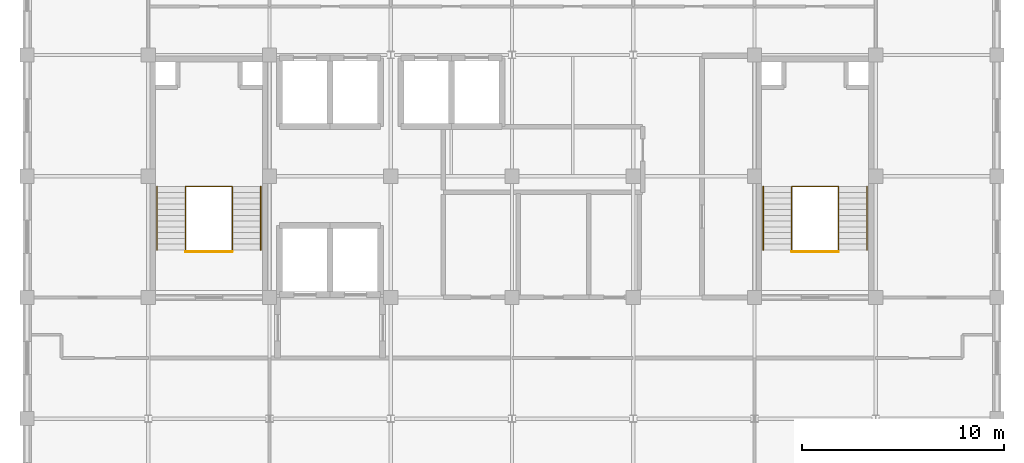
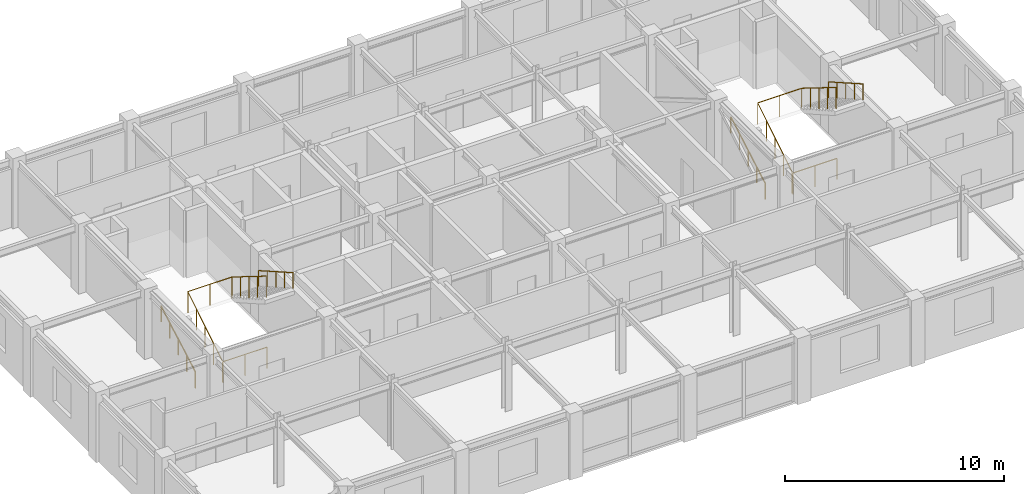
# One storey, part 13 of 13: 8 railings.
"""IFC4 building model written with IfcOpenShell, lengths in metres."""

from ifc_helpers import new_model, si_unit, direction, frame, origin, origin_2d, place, context, subcontext, project, spatial, circle, extrude, material, type_object, element, save


model = new_model("IFC4")

# Units and contexts
model_context = context("Model", 3, precision=1e-05, world=origin(), true_north=direction((0.0, 1.0)))
body_context = subcontext(model_context, "Body", "Model", "MODEL_VIEW")
ifc_project = project(units=[si_unit("LENGTHUNIT", "METRE"), si_unit("AREAUNIT", "SQUARE_METRE"), si_unit("VOLUMEUNIT", "CUBIC_METRE"), si_unit("PLANEANGLEUNIT", "RADIAN"), si_unit("MASSUNIT", "GRAM", prefix="KILO")], contexts=[model_context])

# Site, building, storey
site_placement = place(None, origin())
site = spatial("IfcSite", under=ifc_project, at=site_placement, CompositionType="ELEMENT")
building_placement = place(site_placement, origin())
building = spatial("IfcBuilding", under=site, at=building_placement, Name="Zlatovratsky Civic Hall", CompositionType="ELEMENT")
storey_placement = place(building_placement, frame((0.0, 0.0, 48.300048828125)))
storey = spatial("IfcBuildingStorey", under=building, at=storey_placement, Name="L12", CompositionType="ELEMENT", Elevation=48.300048828125)

# Railings
ifc_material = material(Name="Brushed stainless steel AISI 304", Category="steel")
railing_type_1 = type_object("IfcRailingType", Name="Railing_Guardrail_1200", PredefinedType="GUARDRAIL", material=ifc_material)
railing_1_placement = place(storey_placement, frame((67.840087890625, 86.35009765625, 0.0)))
element("IfcRailing", 1, at=railing_1_placement, inside=storey, type_object=railing_type_1, Name="RL-0548", PredefinedType="GUARDRAIL", context=body_context, shape_type="SweptSolid", body=[
    extrude(circle(Radius=0.02392578125, at=origin_2d()), frame((0.0, 0.0, 1.17578125), z_axis=(0.0, 0.849144259976, 0.528160984692), x_axis=(-1.0, 0.0, 0.0)), (0.0, 0.0, 1.0), 3.69189453125),
    extrude(circle(Radius=0.02392578125, at=origin_2d()), frame((0.0, 3.135009765625, 3.1259765625), z_axis=(1.0, 0.0, 0.0), x_axis=(0.0, 1.0, 0.0)), (0.0, 0.0, 1.0), 2.31982421875),
    extrude(circle(Radius=0.02392578125, at=origin_2d()), frame((2.31982421875, 3.135009765625, 3.1259765625), z_axis=(0.0, -0.849144259976, 0.528160984692), x_axis=(1.0, 0.0, 0.0)), (0.0, 0.0, 1.0), 3.69189453125),
    extrude(circle(Radius=0.02099609375, at=origin_2d()), origin(), (0.0, 0.0, 1.0), 1.15185546875),
    extrude(circle(Radius=0.02099609375, at=origin_2d()), frame((0.0, 0.78369140625, 0.487548828125)), (0.0, 0.0, 1.0), 1.15185546875),
    extrude(circle(Radius=0.02099609375, at=origin_2d()), frame((0.0, 1.5673828125, 0.97509765625)), (0.0, 0.0, 1.0), 1.15185546875),
    extrude(circle(Radius=0.02099609375, at=origin_2d()), frame((0.0, 2.351318359375, 1.46240234375)), (0.0, 0.0, 1.0), 1.15185546875),
    extrude(circle(Radius=0.02099609375, at=origin_2d()), frame((0.0, 3.135009765625, 1.949951171875)), (0.0, 0.0, 1.0), 1.15185546875),
    extrude(circle(Radius=0.02099609375, at=origin_2d()), frame((1.159912109375, 3.135009765625, 1.949951171875)), (0.0, 0.0, 1.0), 1.15185546875),
    extrude(circle(Radius=0.02099609375, at=origin_2d()), frame((2.31982421875, 3.135009765625, 1.949951171875)), (0.0, 0.0, 1.0), 1.15185546875),
    extrude(circle(Radius=0.02099609375, at=origin_2d()), frame((2.31982421875, 2.351318359375, 2.4375)), (0.0, 0.0, 1.0), 1.15185546875),
    extrude(circle(Radius=0.02099609375, at=origin_2d()), frame((2.31982421875, 1.5673828125, 2.9248046875)), (0.0, 0.0, 1.0), 1.15185546875),
    extrude(circle(Radius=0.02099609375, at=origin_2d()), frame((2.31982421875, 0.78369140625, 3.412353515625)), (0.0, 0.0, 1.0), 1.15185546875),
    extrude(circle(Radius=0.02099609375, at=origin_2d()), frame((2.31982421875, 0.0, 3.89990234375)), (0.0, 0.0, 1.0), 1.15185546875),
])
railing_2_placement = place(storey_placement, frame((67.840087890625, 86.27001953125, 0.0)))
element("IfcRailing", 2, at=railing_2_placement, inside=storey, type_object=railing_type_1, Name="RL-0551", PredefinedType="GUARDRAIL", context=body_context, shape_type="SweptSolid", body=[
    extrude(circle(Radius=0.02392578125, at=origin_2d()), frame((0.0, 0.0, 1.17578125), z_axis=(1.0, 0.0, 0.0), x_axis=(0.0, 1.0, 0.0)), (0.0, 0.0, 1.0), 2.31982421875),
    extrude(circle(Radius=0.02099609375, at=origin_2d()), origin(), (0.0, 0.0, 1.0), 1.15185546875),
    extrude(circle(Radius=0.02099609375, at=origin_2d()), frame((1.159912109375, 0.0, 0.0)), (0.0, 0.0, 1.0), 1.15185546875),
    extrude(circle(Radius=0.02099609375, at=origin_2d()), frame((2.31982421875, 0.0, 0.0)), (0.0, 0.0, 1.0), 1.15185546875),
])
railing_3_placement = place(storey_placement, frame((97.840087890625, 86.35009765625, 0.0)))
element("IfcRailing", 3, at=railing_3_placement, inside=storey, type_object=railing_type_1, Name="RL-0624", PredefinedType="GUARDRAIL", context=body_context, shape_type="SweptSolid", body=[
    extrude(circle(Radius=0.02392578125, at=origin_2d()), frame((0.0, 0.0, 1.17578125), z_axis=(0.0, 0.849144259976, 0.528160984692), x_axis=(-1.0, 0.0, 0.0)), (0.0, 0.0, 1.0), 3.69189453125),
    extrude(circle(Radius=0.02392578125, at=origin_2d()), frame((0.0, 3.135009765625, 3.1259765625), z_axis=(1.0, 0.0, 0.0), x_axis=(0.0, 1.0, 0.0)), (0.0, 0.0, 1.0), 2.31982421875),
    extrude(circle(Radius=0.02392578125, at=origin_2d()), frame((2.31982421875, 3.135009765625, 3.1259765625), z_axis=(0.0, -0.849144259976, 0.528160984692), x_axis=(1.0, 0.0, 0.0)), (0.0, 0.0, 1.0), 3.69189453125),
    extrude(circle(Radius=0.02099609375, at=origin_2d()), origin(), (0.0, 0.0, 1.0), 1.15185546875),
    extrude(circle(Radius=0.02099609375, at=origin_2d()), frame((0.0, 0.78369140625, 0.487548828125)), (0.0, 0.0, 1.0), 1.15185546875),
    extrude(circle(Radius=0.02099609375, at=origin_2d()), frame((0.0, 1.5673828125, 0.97509765625)), (0.0, 0.0, 1.0), 1.15185546875),
    extrude(circle(Radius=0.02099609375, at=origin_2d()), frame((0.0, 2.351318359375, 1.46240234375)), (0.0, 0.0, 1.0), 1.15185546875),
    extrude(circle(Radius=0.02099609375, at=origin_2d()), frame((0.0, 3.135009765625, 1.949951171875)), (0.0, 0.0, 1.0), 1.15185546875),
    extrude(circle(Radius=0.02099609375, at=origin_2d()), frame((1.159912109375, 3.135009765625, 1.949951171875)), (0.0, 0.0, 1.0), 1.15185546875),
    extrude(circle(Radius=0.02099609375, at=origin_2d()), frame((2.31982421875, 3.135009765625, 1.949951171875)), (0.0, 0.0, 1.0), 1.15185546875),
    extrude(circle(Radius=0.02099609375, at=origin_2d()), frame((2.31982421875, 2.351318359375, 2.4375)), (0.0, 0.0, 1.0), 1.15185546875),
    extrude(circle(Radius=0.02099609375, at=origin_2d()), frame((2.31982421875, 1.5673828125, 2.9248046875)), (0.0, 0.0, 1.0), 1.15185546875),
    extrude(circle(Radius=0.02099609375, at=origin_2d()), frame((2.31982421875, 0.78369140625, 3.412353515625)), (0.0, 0.0, 1.0), 1.15185546875),
    extrude(circle(Radius=0.02099609375, at=origin_2d()), frame((2.31982421875, 0.0, 3.89990234375)), (0.0, 0.0, 1.0), 1.15185546875),
])
railing_4_placement = place(storey_placement, frame((97.840087890625, 86.27001953125, 0.0)))
element("IfcRailing", 4, at=railing_4_placement, inside=storey, type_object=railing_type_1, Name="RL-0627", PredefinedType="GUARDRAIL", context=body_context, shape_type="SweptSolid", body=[
    extrude(circle(Radius=0.02392578125, at=origin_2d()), frame((0.0, 0.0, 1.17578125), z_axis=(1.0, 0.0, 0.0), x_axis=(0.0, 1.0, 0.0)), (0.0, 0.0, 1.0), 2.31982421875),
    extrude(circle(Radius=0.02099609375, at=origin_2d()), origin(), (0.0, 0.0, 1.0), 1.15185546875),
    extrude(circle(Radius=0.02099609375, at=origin_2d()), frame((1.159912109375, 0.0, 0.0)), (0.0, 0.0, 1.0), 1.15185546875),
    extrude(circle(Radius=0.02099609375, at=origin_2d()), frame((2.31982421875, 0.0, 0.0)), (0.0, 0.0, 1.0), 1.15185546875),
])
railing_type_2 = type_object("IfcRailingType", Name="Railing_Handrail_900", PredefinedType="HANDRAIL", material=ifc_material)
railing_5_placement = place(storey_placement, frame((66.429931640625, 86.35009765625, 0.161865234375)))
element("IfcRailing", 5, at=railing_5_placement, inside=storey, type_object=railing_type_2, Name="RL-0549", PredefinedType="HANDRAIL", context=body_context, shape_type="SweptSolid", body=[
    extrude(circle(Radius=0.02392578125, at=origin_2d()), frame((0.0, 0.0, 0.8759765625), z_axis=(0.0, 0.868642492313, 0.495439421673), x_axis=(-1.0, 0.0, 0.0)), (0.0, 0.0, 1.0), 3.609130859375),
    extrude(circle(Radius=0.02099609375, at=origin_2d()), origin(), (0.0, 0.0, 1.0), 0.851806640625),
    extrude(circle(Radius=0.02099609375, at=origin_2d()), frame((0.0, 0.78369140625, 0.447021484375)), (0.0, 0.0, 1.0), 0.851806640625),
    extrude(circle(Radius=0.02099609375, at=origin_2d()), frame((0.0, 1.5673828125, 0.89404296875)), (0.0, 0.0, 1.0), 0.851806640625),
    extrude(circle(Radius=0.02099609375, at=origin_2d()), frame((0.0, 2.351318359375, 1.341064453125)), (0.0, 0.0, 1.0), 0.851806640625),
    extrude(circle(Radius=0.02099609375, at=origin_2d()), frame((0.0, 3.135009765625, 1.7880859375)), (0.0, 0.0, 1.0), 0.851806640625),
])
railing_6_placement = place(storey_placement, frame((71.570068359375, 89.485107421875, 2.113037109375)))
element("IfcRailing", 6, at=railing_6_placement, inside=storey, type_object=railing_type_2, Name="RL-0550", PredefinedType="HANDRAIL", context=body_context, shape_type="SweptSolid", body=[
    extrude(circle(Radius=0.02392578125, at=origin_2d()), frame((0.0, 0.0, 0.8759765625), z_axis=(0.0, -0.868788039808, 0.495184149471), x_axis=(1.0, 0.0, 0.0)), (0.0, 0.0, 1.0), 3.6083984375),
    extrude(circle(Radius=0.02099609375, at=origin_2d()), origin(), (0.0, 0.0, 1.0), 0.851806640625),
    extrude(circle(Radius=0.02099609375, at=origin_2d()), frame((0.0, -0.78369140625, 0.44677734375)), (0.0, 0.0, 1.0), 0.851806640625),
    extrude(circle(Radius=0.02099609375, at=origin_2d()), frame((0.0, -1.5673828125, 0.8935546875)), (0.0, 0.0, 1.0), 0.851806640625),
    extrude(circle(Radius=0.02099609375, at=origin_2d()), frame((0.0, -2.351318359375, 1.340087890625)), (0.0, 0.0, 1.0), 0.851806640625),
    extrude(circle(Radius=0.02099609375, at=origin_2d()), frame((0.0, -3.135009765625, 1.786865234375)), (0.0, 0.0, 1.0), 0.851806640625),
])
railing_7_placement = place(storey_placement, frame((96.429931640625, 86.35009765625, 0.161865234375)))
element("IfcRailing", 7, at=railing_7_placement, inside=storey, type_object=railing_type_2, Name="RL-0625", PredefinedType="HANDRAIL", context=body_context, shape_type="SweptSolid", body=[
    extrude(circle(Radius=0.02392578125, at=origin_2d()), frame((0.0, 0.0, 0.8759765625), z_axis=(0.0, 0.868642492313, 0.495439421673), x_axis=(-1.0, 0.0, 0.0)), (0.0, 0.0, 1.0), 3.609130859375),
    extrude(circle(Radius=0.02099609375, at=origin_2d()), origin(), (0.0, 0.0, 1.0), 0.851806640625),
    extrude(circle(Radius=0.02099609375, at=origin_2d()), frame((0.0, 0.78369140625, 0.447021484375)), (0.0, 0.0, 1.0), 0.851806640625),
    extrude(circle(Radius=0.02099609375, at=origin_2d()), frame((0.0, 1.5673828125, 0.89404296875)), (0.0, 0.0, 1.0), 0.851806640625),
    extrude(circle(Radius=0.02099609375, at=origin_2d()), frame((0.0, 2.351318359375, 1.341064453125)), (0.0, 0.0, 1.0), 0.851806640625),
    extrude(circle(Radius=0.02099609375, at=origin_2d()), frame((0.0, 3.135009765625, 1.7880859375)), (0.0, 0.0, 1.0), 0.851806640625),
])
railing_8_placement = place(storey_placement, frame((101.570068359375, 89.485107421875, 2.113037109375)))
element("IfcRailing", 8, at=railing_8_placement, inside=storey, type_object=railing_type_2, Name="RL-0626", PredefinedType="HANDRAIL", context=body_context, shape_type="SweptSolid", body=[
    extrude(circle(Radius=0.02392578125, at=origin_2d()), frame((0.0, 0.0, 0.8759765625), z_axis=(0.0, -0.868788039808, 0.495184149471), x_axis=(1.0, 0.0, 0.0)), (0.0, 0.0, 1.0), 3.6083984375),
    extrude(circle(Radius=0.02099609375, at=origin_2d()), origin(), (0.0, 0.0, 1.0), 0.851806640625),
    extrude(circle(Radius=0.02099609375, at=origin_2d()), frame((0.0, -0.78369140625, 0.44677734375)), (0.0, 0.0, 1.0), 0.851806640625),
    extrude(circle(Radius=0.02099609375, at=origin_2d()), frame((0.0, -1.5673828125, 0.8935546875)), (0.0, 0.0, 1.0), 0.851806640625),
    extrude(circle(Radius=0.02099609375, at=origin_2d()), frame((0.0, -2.351318359375, 1.340087890625)), (0.0, 0.0, 1.0), 0.851806640625),
    extrude(circle(Radius=0.02099609375, at=origin_2d()), frame((0.0, -3.135009765625, 1.786865234375)), (0.0, 0.0, 1.0), 0.851806640625),
])

save(model, "model.ifc")
